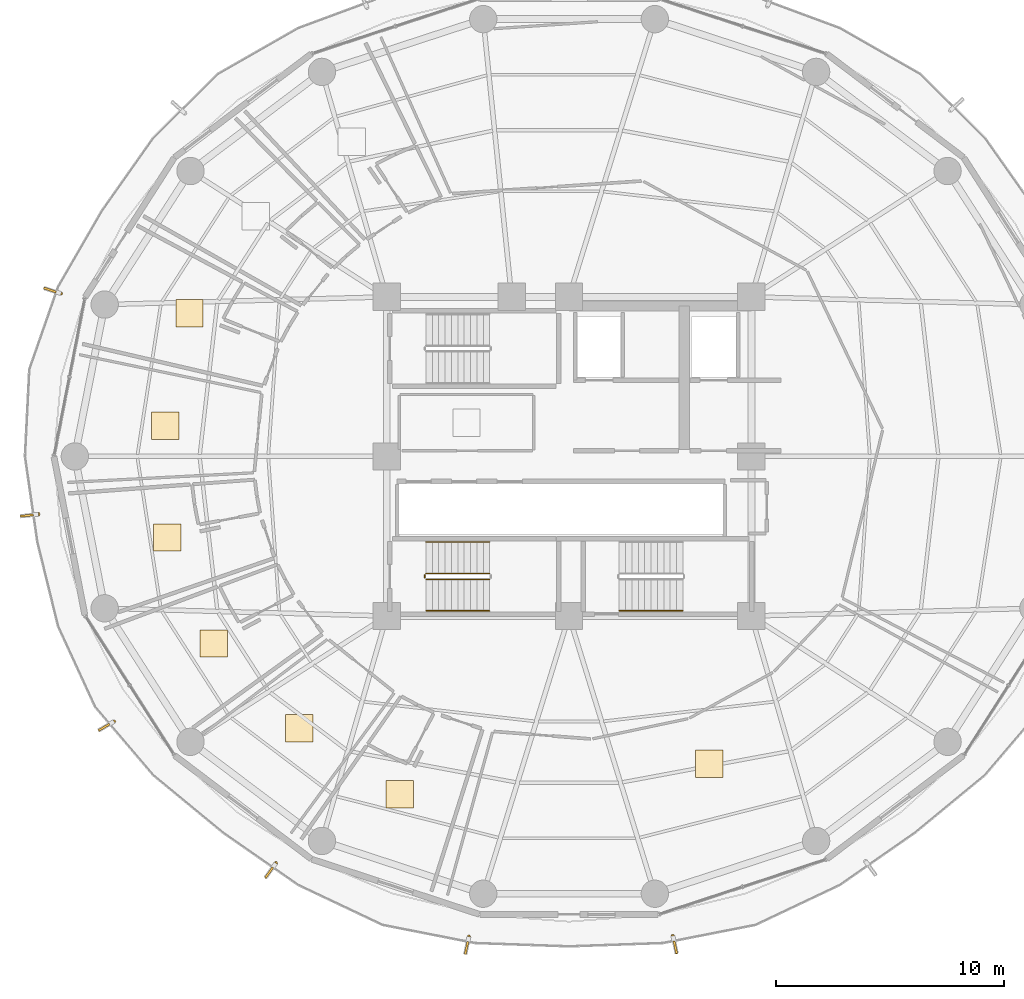
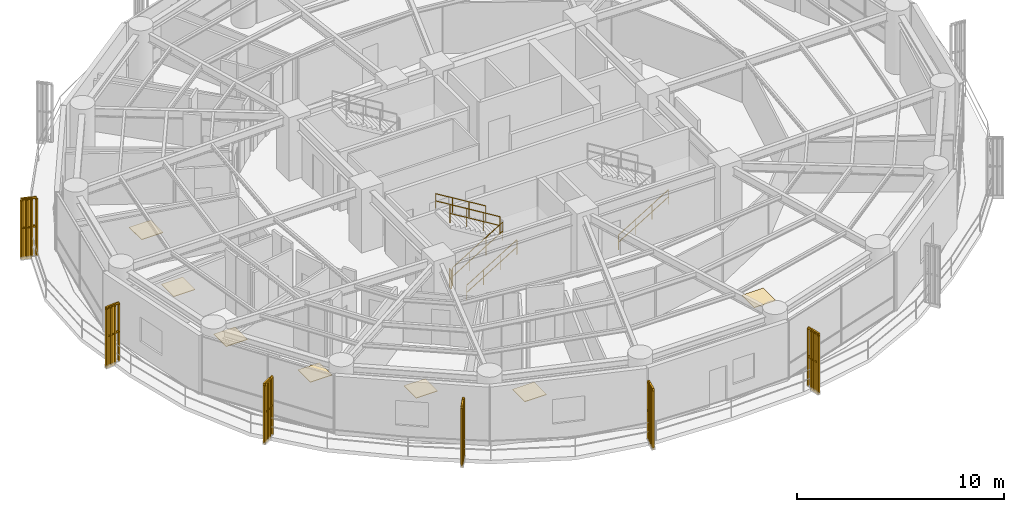
# One storey, part 25 of 28: 12 railings, 7 coverings, 6 shading devices.
"""IFC4 building model written with IfcOpenShell, lengths in metres."""

from ifc_helpers import new_model, si_unit, direction, frame, origin, origin_2d, place, context, subcontext, project, spatial, polyline, rectangle, outline, extrude, source, transform, mapped, material, layer, layer_set, type_object, element, save


model = new_model("IFC4")

# Units and contexts
model_context = context("Model", 3, precision=1e-05, world=origin(), true_north=direction((0.0, 1.0)))
body_context = subcontext(model_context, "Body", "Model", "MODEL_VIEW")
ifc_project = project(units=[si_unit("LENGTHUNIT", "METRE"), si_unit("AREAUNIT", "SQUARE_METRE"), si_unit("VOLUMEUNIT", "CUBIC_METRE"), si_unit("PLANEANGLEUNIT", "RADIAN"), si_unit("MASSUNIT", "GRAM", prefix="KILO")], contexts=[model_context])

# Site, building, storey
site_placement = place(None, origin())
site = spatial("IfcSite", under=ifc_project, at=site_placement, CompositionType="ELEMENT")
building_placement = place(site_placement, origin())
building = spatial("IfcBuilding", under=site, at=building_placement, Name="Kelanora Arch Commons", CompositionType="ELEMENT")
storey_placement = place(building_placement, frame((0.0, 0.0, 139.35009765625)))
storey = spatial("IfcBuildingStorey", under=building, at=storey_placement, Name="L35", CompositionType="ELEMENT", Elevation=139.35009765625)

# Railings
ifc_material_1 = material(Name="Anodised bronze vertical shading fin rib assembly")
railing_type_1 = type_object("IfcRailingType", Name="RAIL-FIN-BRZ", PredefinedType="BALUSTRADE", material=ifc_material_1)
railing_1_placement = place(storey_placement, frame((51.71240234375, 65.14599609375, -0.02001953125)))
element("IfcRailing", 1, at=railing_1_placement, inside=storey, type_object=railing_type_1, Name="Sweeping Bronze Vertical Fin Blade L35-06", PredefinedType="BALUSTRADE", context=body_context, shape_type="SweptSolid", body=[
    extrude(outline(polyline([(0.06982421875, 0.0), (0.034912109375, 0.060546875), (-0.034912109375, 0.060546875), (-0.06982421875, 0.0), (-0.034912109375, -0.060546875), (0.034912109375, -0.060546875), (0.06982421875, 0.0)])), frame((0.0, 0.0, 3.419921875), z_axis=(-0.952257418499, 0.305296264165, 0.0), x_axis=(-0.305296264165, -0.952257418499, 0.0)), (0.0, 0.0, 1.0), 0.731689453125),
    extrude(outline(polyline([(0.06982421875, 0.0), (0.034912109375, 0.060546875), (-0.034912109375, 0.060546875), (-0.06982421875, 0.0), (-0.034912109375, -0.060546875), (0.034912109375, -0.060546875), (0.06982421875, 0.0)])), frame((0.0, 0.0, 1.7451171875), z_axis=(-0.952257418499, 0.305296264165, 0.0), x_axis=(-0.305296264165, -0.952257418499, 0.0)), (0.0, 0.0, 1.0), 0.731689453125),
    extrude(outline(polyline([(0.080078125, 0.0), (0.0400390625, 0.0693359375), (-0.0400390625, 0.0693359375), (-0.080078125, 0.0), (-0.0400390625, -0.0693359375), (0.0400390625, -0.0693359375), (0.080078125, 0.0)])), origin(), (0.0, 0.0, 1.0), 3.35009765625),
    extrude(outline(polyline([(0.080078125, 0.0), (0.0400390625, 0.0693359375), (-0.0400390625, 0.0693359375), (-0.080078125, 0.0), (-0.0400390625, -0.0693359375), (0.0400390625, -0.0693359375), (0.080078125, 0.0)])), frame((-0.232177734375, 0.074462890625, 0.0)), (0.0, 0.0, 1.0), 3.35009765625),
    extrude(outline(polyline([(0.080078125, 0.0), (0.0400390625, 0.0693359375), (-0.0400390625, 0.0693359375), (-0.080078125, 0.0), (-0.0400390625, -0.0693359375), (0.0400390625, -0.0693359375), (0.080078125, 0.0)])), frame((-0.464599609375, 0.14892578125, 0.0)), (0.0, 0.0, 1.0), 3.35009765625),
    extrude(outline(polyline([(0.080078125, 0.0), (0.0400390625, 0.0693359375), (-0.0400390625, 0.0693359375), (-0.080078125, 0.0), (-0.0400390625, -0.0693359375), (0.0400390625, -0.0693359375), (0.080078125, 0.0)])), frame((-0.69677734375, 0.223388671875, 0.0)), (0.0, 0.0, 1.0), 3.35009765625),
])
railing_2_placement = place(storey_placement, frame((50.72119140625, 55.461669921875, -0.02001953125)))
element("IfcRailing", 2, at=railing_2_placement, inside=storey, type_object=railing_type_1, Name="Sweeping Bronze Vertical Fin Blade L35-07", PredefinedType="BALUSTRADE", context=body_context, shape_type="SweptSolid", body=[
    extrude(outline(polyline([(0.06982421875, 0.0), (0.034912109375, 0.060546875), (-0.034912109375, 0.060546875), (-0.06982421875, 0.0), (-0.034912109375, -0.060546875), (0.034912109375, -0.060546875), (0.06982421875, 0.0)])), frame((0.0, 0.0, 3.419921875), z_axis=(-0.994105445602, -0.108417540208, 0.0), x_axis=(0.108417540208, -0.994105445602, 0.0)), (0.0, 0.0, 1.0), 0.73193359375),
    extrude(outline(polyline([(0.06982421875, 0.0), (0.034912109375, 0.060546875), (-0.034912109375, 0.060546875), (-0.06982421875, 0.0), (-0.034912109375, -0.060546875), (0.034912109375, -0.060546875), (0.06982421875, 0.0)])), frame((0.0, 0.0, 1.7451171875), z_axis=(-0.994105445602, -0.108417540208, 0.0), x_axis=(0.108417540208, -0.994105445602, 0.0)), (0.0, 0.0, 1.0), 0.73193359375),
    extrude(outline(polyline([(0.080078125, 0.0), (0.0400390625, 0.0693359375), (-0.0400390625, 0.0693359375), (-0.080078125, 0.0), (-0.0400390625, -0.0693359375), (0.0400390625, -0.0693359375), (0.080078125, 0.0)])), origin(), (0.0, 0.0, 1.0), 3.35009765625),
    extrude(outline(polyline([(0.080078125, 0.0), (0.0400390625, 0.0693359375), (-0.0400390625, 0.0693359375), (-0.080078125, 0.0), (-0.0400390625, -0.0693359375), (0.0400390625, -0.0693359375), (0.080078125, 0.0)])), frame((-0.242431640625, -0.0263671875, 0.0)), (0.0, 0.0, 1.0), 3.35009765625),
    extrude(outline(polyline([(0.080078125, 0.0), (0.0400390625, 0.0693359375), (-0.0400390625, 0.0693359375), (-0.080078125, 0.0), (-0.0400390625, -0.0693359375), (0.0400390625, -0.0693359375), (0.080078125, 0.0)])), frame((-0.485107421875, -0.052978515625, 0.0)), (0.0, 0.0, 1.0), 3.35009765625),
    extrude(outline(polyline([(0.080078125, 0.0), (0.0400390625, 0.0693359375), (-0.0400390625, 0.0693359375), (-0.080078125, 0.0), (-0.0400390625, -0.0693359375), (0.0400390625, -0.0693359375), (0.080078125, 0.0)])), frame((-0.7275390625, -0.079345703125, 0.0)), (0.0, 0.0, 1.0), 3.35009765625),
])
railing_3_placement = place(storey_placement, frame((54.041015625, 46.372802734375, -0.02001953125)))
element("IfcRailing", 3, at=railing_3_placement, inside=storey, type_object=railing_type_1, Name="Sweeping Bronze Vertical Fin Blade L35-08", PredefinedType="BALUSTRADE", context=body_context, shape_type="SweptSolid", body=[
    extrude(outline(polyline([(0.06982421875, 0.0), (0.034912109375, 0.060546875), (-0.034912109375, 0.060546875), (-0.06982421875, 0.0), (-0.034912109375, -0.060546875), (0.034912109375, -0.060546875), (0.06982421875, 0.0)])), frame((0.0, 0.0, 3.419921875), z_axis=(-0.864190074354, -0.503165495029, 0.0), x_axis=(0.503165495029, -0.864190074354, 0.0)), (0.0, 0.0, 1.0), 0.731689453125),
    extrude(outline(polyline([(0.06982421875, 0.0), (0.034912109375, 0.060546875), (-0.034912109375, 0.060546875), (-0.06982421875, 0.0), (-0.034912109375, -0.060546875), (0.034912109375, -0.060546875), (0.06982421875, 0.0)])), frame((0.0, 0.0, 1.7451171875), z_axis=(-0.864190074354, -0.503165495029, 0.0), x_axis=(0.503165495029, -0.864190074354, 0.0)), (0.0, 0.0, 1.0), 0.731689453125),
    extrude(outline(polyline([(0.080078125, 0.0), (0.0400390625, 0.0693359375), (-0.0400390625, 0.0693359375), (-0.080078125, 0.0), (-0.0400390625, -0.0693359375), (0.0400390625, -0.0693359375), (0.080078125, 0.0)])), origin(), (0.0, 0.0, 1.0), 3.35009765625),
    extrude(outline(polyline([(0.080078125, 0.0), (0.0400390625, 0.0693359375), (-0.0400390625, 0.0693359375), (-0.080078125, 0.0), (-0.0400390625, -0.0693359375), (0.0400390625, -0.0693359375), (0.080078125, 0.0)])), frame((-0.210693359375, -0.122802734375, 0.0)), (0.0, 0.0, 1.0), 3.35009765625),
    extrude(outline(polyline([(0.080078125, 0.0), (0.0400390625, 0.0693359375), (-0.0400390625, 0.0693359375), (-0.080078125, 0.0), (-0.0400390625, -0.0693359375), (0.0400390625, -0.0693359375), (0.080078125, 0.0)])), frame((-0.421630859375, -0.245361328125, 0.0)), (0.0, 0.0, 1.0), 3.35009765625),
    extrude(outline(polyline([(0.080078125, 0.0), (0.0400390625, 0.0693359375), (-0.0400390625, 0.0693359375), (-0.080078125, 0.0), (-0.0400390625, -0.0693359375), (0.0400390625, -0.0693359375), (0.080078125, 0.0)])), frame((-0.63232421875, -0.3681640625, 0.0)), (0.0, 0.0, 1.0), 3.35009765625),
])
railing_4_placement = place(storey_placement, frame((61.14013671875, 40.154296875, -0.02001953125)))
element("IfcRailing", 4, at=railing_4_placement, inside=storey, type_object=railing_type_1, Name="Sweeping Bronze Vertical Fin Blade L35-09", PredefinedType="BALUSTRADE", context=body_context, shape_type="SweptSolid", body=[
    extrude(outline(polyline([(0.06982421875, 0.0), (0.034912109375, 0.060546875), (-0.034912109375, 0.060546875), (-0.06982421875, 0.0), (-0.034912109375, -0.060546875), (0.034912109375, -0.060546875), (0.06982421875, 0.0)])), frame((0.0, 0.0, 3.419921875), z_axis=(-0.584735217018, -0.811224214369, 0.0), x_axis=(0.811224214369, -0.584735217018, 0.0)), (0.0, 0.0, 1.0), 0.73193359375),
    extrude(outline(polyline([(0.06982421875, 0.0), (0.034912109375, 0.060546875), (-0.034912109375, 0.060546875), (-0.06982421875, 0.0), (-0.034912109375, -0.060546875), (0.034912109375, -0.060546875), (0.06982421875, 0.0)])), frame((0.0, 0.0, 1.7451171875), z_axis=(-0.584735217018, -0.811224214369, 0.0), x_axis=(0.811224214369, -0.584735217018, 0.0)), (0.0, 0.0, 1.0), 0.73193359375),
    extrude(outline(polyline([(0.080078125, 0.0), (0.0400390625, 0.0693359375), (-0.0400390625, 0.0693359375), (-0.080078125, 0.0), (-0.0400390625, -0.0693359375), (0.0400390625, -0.0693359375), (0.080078125, 0.0)])), origin(), (0.0, 0.0, 1.0), 3.35009765625),
    extrude(outline(polyline([(0.080078125, 0.0), (0.0400390625, 0.0693359375), (-0.0400390625, 0.0693359375), (-0.080078125, 0.0), (-0.0400390625, -0.0693359375), (0.0400390625, -0.0693359375), (0.080078125, 0.0)])), frame((-0.142578125, -0.197998046875, 0.0)), (0.0, 0.0, 1.0), 3.35009765625),
    extrude(outline(polyline([(0.080078125, 0.0), (0.0400390625, 0.0693359375), (-0.0400390625, 0.0693359375), (-0.080078125, 0.0), (-0.0400390625, -0.0693359375), (0.0400390625, -0.0693359375), (0.080078125, 0.0)])), frame((-0.285400390625, -0.395751953125, 0.0)), (0.0, 0.0, 1.0), 3.35009765625),
    extrude(outline(polyline([(0.080078125, 0.0), (0.0400390625, 0.0693359375), (-0.0400390625, 0.0693359375), (-0.080078125, 0.0), (-0.0400390625, -0.0693359375), (0.0400390625, -0.0693359375), (0.080078125, 0.0)])), frame((-0.427978515625, -0.59375, 0.0)), (0.0, 0.0, 1.0), 3.35009765625),
])
railing_5_placement = place(storey_placement, frame((69.60791015625, 36.93359375, -0.02001953125)))
element("IfcRailing", 5, at=railing_5_placement, inside=storey, type_object=railing_type_1, Name="Sweeping Bronze Vertical Fin Blade L35-10", PredefinedType="BALUSTRADE", context=body_context, shape_type="SweptSolid", body=[
    extrude(outline(polyline([(0.06982421875, 0.0), (0.034912109375, 0.060546875), (-0.034912109375, 0.060546875), (-0.06982421875, 0.0), (-0.034912109375, -0.060546875), (0.034912109375, -0.060546875), (0.06982421875, 0.0)])), frame((0.0, 0.0, 3.419921875), z_axis=(-0.204194076603, -0.978930426067, 0.0), x_axis=(0.978930426067, -0.204194076603, 0.0)), (0.0, 0.0, 1.0), 0.731689453125),
    extrude(outline(polyline([(0.06982421875, 0.0), (0.034912109375, 0.060546875), (-0.034912109375, 0.060546875), (-0.06982421875, 0.0), (-0.034912109375, -0.060546875), (0.034912109375, -0.060546875), (0.06982421875, 0.0)])), frame((0.0, 0.0, 1.7451171875), z_axis=(-0.204194076603, -0.978930426067, 0.0), x_axis=(0.978930426067, -0.204194076603, 0.0)), (0.0, 0.0, 1.0), 0.731689453125),
    extrude(outline(polyline([(0.080078125, 0.0), (0.0400390625, 0.0693359375), (-0.0400390625, 0.0693359375), (-0.080078125, 0.0), (-0.0400390625, -0.0693359375), (0.0400390625, -0.0693359375), (0.080078125, 0.0)])), origin(), (0.0, 0.0, 1.0), 3.35009765625),
    extrude(outline(polyline([(0.080078125, 0.0), (0.0400390625, 0.0693359375), (-0.0400390625, 0.0693359375), (-0.080078125, 0.0), (-0.0400390625, -0.0693359375), (0.0400390625, -0.0693359375), (0.080078125, 0.0)])), frame((-0.0498046875, -0.23876953125, 0.0)), (0.0, 0.0, 1.0), 3.35009765625),
    extrude(outline(polyline([(0.080078125, 0.0), (0.0400390625, 0.0693359375), (-0.0400390625, 0.0693359375), (-0.080078125, 0.0), (-0.0400390625, -0.0693359375), (0.0400390625, -0.0693359375), (0.080078125, 0.0)])), frame((-0.099609375, -0.4775390625, 0.0)), (0.0, 0.0, 1.0), 3.35009765625),
    extrude(outline(polyline([(0.080078125, 0.0), (0.0400390625, 0.0693359375), (-0.0400390625, 0.0693359375), (-0.080078125, 0.0), (-0.0400390625, -0.0693359375), (0.0400390625, -0.0693359375), (0.080078125, 0.0)])), frame((-0.1494140625, -0.71630859375, 0.0)), (0.0, 0.0, 1.0), 3.35009765625),
])
railing_6_placement = place(storey_placement, frame((78.556640625, 36.9658203125, -0.02001953125)))
element("IfcRailing", 6, at=railing_6_placement, inside=storey, type_object=railing_type_1, Name="Sweeping Bronze Vertical Fin Blade L35-11", PredefinedType="BALUSTRADE", context=body_context, shape_type="SweptSolid", body=[
    extrude(outline(polyline([(0.06982421875, 0.0), (0.034912109375, 0.060546875), (-0.034912109375, 0.060546875), (-0.06982421875, 0.0), (-0.034912109375, -0.060546875), (0.034912109375, -0.060546875), (0.06982421875, 0.0)])), frame((0.0, 0.0, 3.419921875), z_axis=(0.211556796565, -0.977365705265, 0.0), x_axis=(0.977365705265, 0.211556796565, 0.0)), (0.0, 0.0, 1.0), 0.731689453125),
    extrude(outline(polyline([(0.06982421875, 0.0), (0.034912109375, 0.060546875), (-0.034912109375, 0.060546875), (-0.06982421875, 0.0), (-0.034912109375, -0.060546875), (0.034912109375, -0.060546875), (0.06982421875, 0.0)])), frame((0.0, 0.0, 1.7451171875), z_axis=(0.211556796565, -0.977365705265, 0.0), x_axis=(0.977365705265, 0.211556796565, 0.0)), (0.0, 0.0, 1.0), 0.731689453125),
    extrude(outline(polyline([(0.080078125, 0.0), (0.0400390625, 0.0693359375), (-0.0400390625, 0.0693359375), (-0.080078125, 0.0), (-0.0400390625, -0.0693359375), (0.0400390625, -0.0693359375), (0.080078125, 0.0)])), origin(), (0.0, 0.0, 1.0), 3.35009765625),
    extrude(outline(polyline([(0.080078125, 0.0), (0.0400390625, 0.0693359375), (-0.0400390625, 0.0693359375), (-0.080078125, 0.0), (-0.0400390625, -0.0693359375), (0.0400390625, -0.0693359375), (0.080078125, 0.0)])), frame((0.051513671875, -0.23828125, 0.0)), (0.0, 0.0, 1.0), 3.35009765625),
    extrude(outline(polyline([(0.080078125, 0.0), (0.0400390625, 0.0693359375), (-0.0400390625, 0.0693359375), (-0.080078125, 0.0), (-0.0400390625, -0.0693359375), (0.0400390625, -0.0693359375), (0.080078125, 0.0)])), frame((0.103271484375, -0.476806640625, 0.0)), (0.0, 0.0, 1.0), 3.35009765625),
    extrude(outline(polyline([(0.080078125, 0.0), (0.0400390625, 0.0693359375), (-0.0400390625, 0.0693359375), (-0.080078125, 0.0), (-0.0400390625, -0.0693359375), (0.0400390625, -0.0693359375), (0.080078125, 0.0)])), frame((0.15478515625, -0.715087890625, 0.0)), (0.0, 0.0, 1.0), 3.35009765625),
])
ifc_material_2 = material(Name="Painted steel stair well guard", Category="steel")
railing_type_2 = type_object("IfcRailingType", Name="RAIL-STAIR-GRD", PredefinedType="GUARDRAIL", material=ifc_material_2)
railing_7_placement = place(storey_placement, frame((67.719970703125, 52.610107421875, 0.17041015625)))
element("IfcRailing", 7, at=railing_7_placement, inside=storey, type_object=railing_type_2, Name="L35 ST-T3 stair guard 1", PredefinedType="GUARDRAIL", context=body_context, shape_type="SweptSolid", body=[
    extrude(outline(polyline([(0.02392578125, 0.0), (0.011962890625, 0.020751953125), (-0.011962890625, 0.020751953125), (-0.02392578125, 0.0), (-0.011962890625, -0.020751953125), (0.011962890625, -0.020751953125), (0.02392578125, 0.0)])), frame((0.0, 0.0, 1.076171875), z_axis=(0.854169791009, 0.0, 0.51999420009), x_axis=(0.0, 1.0, 0.0)), (0.0, 0.0, 1.0), 3.278076171875),
    extrude(outline(polyline([(0.02392578125, 0.0), (0.011962890625, 0.020751953125), (-0.011962890625, 0.020751953125), (-0.02392578125, 0.0), (-0.011962890625, -0.020751953125), (0.011962890625, -0.020751953125), (0.02392578125, 0.0)])), frame((0.0, 0.0, 0.550048828125), z_axis=(0.854169791009, 0.0, 0.51999420009), x_axis=(0.0, 1.0, 0.0)), (0.0, 0.0, 1.0), 3.278076171875),
    extrude(outline(polyline([(0.02099609375, 0.0), (0.010498046875, 0.01806640625), (-0.010498046875, 0.01806640625), (-0.02099609375, 0.0), (-0.010498046875, -0.01806640625), (0.010498046875, -0.01806640625), (0.02099609375, 0.0)])), origin(), (0.0, 0.0, 1.0), 1.052001953125),
    extrude(outline(polyline([(0.02099609375, 0.0), (0.010498046875, 0.01806640625), (-0.010498046875, 0.01806640625), (-0.02099609375, 0.0), (-0.010498046875, -0.01806640625), (0.010498046875, -0.01806640625), (0.02099609375, 0.0)])), frame((0.933349609375, 0.0, 0.568115234375)), (0.0, 0.0, 1.0), 1.052001953125),
    extrude(outline(polyline([(0.02099609375, 0.0), (0.010498046875, 0.01806640625), (-0.010498046875, 0.01806640625), (-0.02099609375, 0.0), (-0.010498046875, -0.01806640625), (0.010498046875, -0.01806640625), (0.02099609375, 0.0)])), frame((1.86669921875, 0.0, 1.136474609375)), (0.0, 0.0, 1.0), 1.052001953125),
    extrude(outline(polyline([(0.02099609375, 0.0), (0.010498046875, 0.01806640625), (-0.010498046875, 0.01806640625), (-0.02099609375, 0.0), (-0.010498046875, -0.01806640625), (0.010498046875, -0.01806640625), (0.02099609375, 0.0)])), frame((2.800048828125, 0.0, 1.70458984375)), (0.0, 0.0, 1.0), 1.052001953125),
])
railing_8_placement = place(storey_placement, frame((70.52001953125, 52.860107421875, 2.04541015625)))
element("IfcRailing", 8, at=railing_8_placement, inside=storey, type_object=railing_type_2, Name="L35 ST-T3 stair guard 3", PredefinedType="GUARDRAIL", context=body_context, shape_type="SweptSolid", body=[
    extrude(outline(polyline([(0.02392578125, 0.0), (0.011962890625, 0.020751953125), (-0.011962890625, 0.020751953125), (-0.02392578125, 0.0), (-0.011962890625, -0.020751953125), (0.011962890625, -0.020751953125), (0.02392578125, 0.0)])), frame((0.0, 0.0, 1.076171875), z_axis=(-0.854169791009, 0.0, 0.51999420009), x_axis=(0.0, -1.0, 0.0)), (0.0, 0.0, 1.0), 3.278076171875),
    extrude(outline(polyline([(0.02392578125, 0.0), (0.011962890625, 0.020751953125), (-0.011962890625, 0.020751953125), (-0.02392578125, 0.0), (-0.011962890625, -0.020751953125), (0.011962890625, -0.020751953125), (0.02392578125, 0.0)])), frame((0.0, 0.0, 0.550048828125), z_axis=(-0.854169791009, 0.0, 0.51999420009), x_axis=(0.0, -1.0, 0.0)), (0.0, 0.0, 1.0), 3.278076171875),
    extrude(outline(polyline([(0.02099609375, 0.0), (0.010498046875, 0.01806640625), (-0.010498046875, 0.01806640625), (-0.02099609375, 0.0), (-0.010498046875, -0.01806640625), (0.010498046875, -0.01806640625), (0.02099609375, 0.0)])), origin(), (0.0, 0.0, 1.0), 1.052001953125),
    extrude(outline(polyline([(0.02099609375, 0.0), (0.010498046875, 0.01806640625), (-0.010498046875, 0.01806640625), (-0.02099609375, 0.0), (-0.010498046875, -0.01806640625), (0.010498046875, -0.01806640625), (0.02099609375, 0.0)])), frame((-0.933349609375, 0.0, 0.568115234375)), (0.0, 0.0, 1.0), 1.052001953125),
    extrude(outline(polyline([(0.02099609375, 0.0), (0.010498046875, 0.01806640625), (-0.010498046875, 0.01806640625), (-0.02099609375, 0.0), (-0.010498046875, -0.01806640625), (0.010498046875, -0.01806640625), (0.02099609375, 0.0)])), frame((-1.86669921875, 0.0, 1.136474609375)), (0.0, 0.0, 1.0), 1.052001953125),
    extrude(outline(polyline([(0.02099609375, 0.0), (0.010498046875, 0.01806640625), (-0.010498046875, 0.01806640625), (-0.02099609375, 0.0), (-0.010498046875, -0.01806640625), (0.010498046875, -0.01806640625), (0.02099609375, 0.0)])), frame((-2.800048828125, 0.0, 1.70458984375)), (0.0, 0.0, 1.0), 1.052001953125),
])
railing_9_placement = place(storey_placement, frame((67.669921875, 52.659912109375, 0.0)))
element("IfcRailing", 9, at=railing_9_placement, inside=storey, type_object=railing_type_2, Name="L35 ST-T3 stair guard 4", PredefinedType="GUARDRAIL", context=body_context, shape_type="SweptSolid", body=[
    extrude(outline(polyline([(0.02392578125, 0.0), (0.011962890625, 0.020751953125), (-0.011962890625, 0.020751953125), (-0.02392578125, 0.0), (-0.011962890625, -0.020751953125), (0.011962890625, -0.020751953125), (0.02392578125, 0.0)])), frame((0.0, 0.0, 1.076171875), z_axis=(0.0, 1.0, 0.0), x_axis=(-1.0, 0.0, 0.0)), (0.0, 0.0, 1.0), 0.150146484375),
    extrude(outline(polyline([(0.02392578125, 0.0), (0.011962890625, 0.020751953125), (-0.011962890625, 0.020751953125), (-0.02392578125, 0.0), (-0.011962890625, -0.020751953125), (0.011962890625, -0.020751953125), (0.02392578125, 0.0)])), frame((0.0, 0.0, 0.550048828125), z_axis=(0.0, 1.0, 0.0), x_axis=(-1.0, 0.0, 0.0)), (0.0, 0.0, 1.0), 0.150146484375),
    extrude(outline(polyline([(0.02099609375, 0.0), (0.010498046875, 0.01806640625), (-0.010498046875, 0.01806640625), (-0.02099609375, 0.0), (-0.010498046875, -0.01806640625), (0.010498046875, -0.01806640625), (0.02099609375, 0.0)])), origin(), (0.0, 0.0, 1.0), 1.052001953125),
    extrude(outline(polyline([(0.02099609375, 0.0), (0.010498046875, 0.01806640625), (-0.010498046875, 0.01806640625), (-0.02099609375, 0.0), (-0.010498046875, -0.01806640625), (0.010498046875, -0.01806640625), (0.02099609375, 0.0)])), frame((0.0, 0.150146484375, 0.0)), (0.0, 0.0, 1.0), 1.052001953125),
])
ifc_material_3 = material(Name="Brushed stainless steel stair handrail", Category="steel")
railing_type_3 = type_object("IfcRailingType", Name="RAIL-STAIR-HND", PredefinedType="HANDRAIL", material=ifc_material_3)
railing_10_placement = place(storey_placement, frame((76.199951171875, 51.22998046875, 0.17041015625)))
element("IfcRailing", 10, at=railing_10_placement, inside=storey, type_object=railing_type_3, Name="L35 ST-T2 stair handrail 1", PredefinedType="HANDRAIL", context=body_context, shape_type="SweptSolid", body=[
    extrude(outline(polyline([(0.02392578125, 0.0), (0.011962890625, 0.020751953125), (-0.011962890625, 0.020751953125), (-0.02392578125, 0.0), (-0.011962890625, -0.020751953125), (0.011962890625, -0.020751953125), (0.02392578125, 0.0)])), frame((0.0, 0.0, 0.8759765625), z_axis=(0.854169791009, 0.0, 0.51999420009), x_axis=(0.0, 1.0, 0.0)), (0.0, 0.0, 1.0), 3.278076171875),
    extrude(outline(polyline([(0.02392578125, 0.0), (0.011962890625, 0.020751953125), (-0.011962890625, 0.020751953125), (-0.02392578125, 0.0), (-0.011962890625, -0.020751953125), (0.011962890625, -0.020751953125), (0.02392578125, 0.0)])), frame((0.0, 0.0, 0.449951171875), z_axis=(0.854169791009, 0.0, 0.51999420009), x_axis=(0.0, 1.0, 0.0)), (0.0, 0.0, 1.0), 3.278076171875),
    extrude(outline(polyline([(0.02099609375, 0.0), (0.010498046875, 0.01806640625), (-0.010498046875, 0.01806640625), (-0.02099609375, 0.0), (-0.010498046875, -0.01806640625), (0.010498046875, -0.01806640625), (0.02099609375, 0.0)])), origin(), (0.0, 0.0, 1.0), 0.851806640625),
    extrude(outline(polyline([(0.02099609375, 0.0), (0.010498046875, 0.01806640625), (-0.010498046875, 0.01806640625), (-0.02099609375, 0.0), (-0.010498046875, -0.01806640625), (0.010498046875, -0.01806640625), (0.02099609375, 0.0)])), frame((0.933349609375, 0.0, 0.568115234375)), (0.0, 0.0, 1.0), 0.851806640625),
    extrude(outline(polyline([(0.02099609375, 0.0), (0.010498046875, 0.01806640625), (-0.010498046875, 0.01806640625), (-0.02099609375, 0.0), (-0.010498046875, -0.01806640625), (0.010498046875, -0.01806640625), (0.02099609375, 0.0)])), frame((1.86669921875, 0.0, 1.136474609375)), (0.0, 0.0, 1.0), 0.851806640625),
    extrude(outline(polyline([(0.02099609375, 0.0), (0.010498046875, 0.01806640625), (-0.010498046875, 0.01806640625), (-0.02099609375, 0.0), (-0.010498046875, -0.01806640625), (0.010498046875, -0.01806640625), (0.02099609375, 0.0)])), frame((2.800048828125, 0.0, 1.70458984375)), (0.0, 0.0, 1.0), 0.851806640625),
])
railing_11_placement = place(storey_placement, frame((67.719970703125, 51.22998046875, 0.17041015625)))
element("IfcRailing", 11, at=railing_11_placement, inside=storey, type_object=railing_type_3, Name="L35 ST-T3 stair handrail 1", PredefinedType="HANDRAIL", context=body_context, shape_type="SweptSolid", body=[
    extrude(outline(polyline([(0.02392578125, 0.0), (0.011962890625, 0.020751953125), (-0.011962890625, 0.020751953125), (-0.02392578125, 0.0), (-0.011962890625, -0.020751953125), (0.011962890625, -0.020751953125), (0.02392578125, 0.0)])), frame((0.0, 0.0, 0.8759765625), z_axis=(0.854169791009, 0.0, 0.51999420009), x_axis=(0.0, 1.0, 0.0)), (0.0, 0.0, 1.0), 3.278076171875),
    extrude(outline(polyline([(0.02392578125, 0.0), (0.011962890625, 0.020751953125), (-0.011962890625, 0.020751953125), (-0.02392578125, 0.0), (-0.011962890625, -0.020751953125), (0.011962890625, -0.020751953125), (0.02392578125, 0.0)])), frame((0.0, 0.0, 0.449951171875), z_axis=(0.854169791009, 0.0, 0.51999420009), x_axis=(0.0, 1.0, 0.0)), (0.0, 0.0, 1.0), 3.278076171875),
    extrude(outline(polyline([(0.02099609375, 0.0), (0.010498046875, 0.01806640625), (-0.010498046875, 0.01806640625), (-0.02099609375, 0.0), (-0.010498046875, -0.01806640625), (0.010498046875, -0.01806640625), (0.02099609375, 0.0)])), origin(), (0.0, 0.0, 1.0), 0.851806640625),
    extrude(outline(polyline([(0.02099609375, 0.0), (0.010498046875, 0.01806640625), (-0.010498046875, 0.01806640625), (-0.02099609375, 0.0), (-0.010498046875, -0.01806640625), (0.010498046875, -0.01806640625), (0.02099609375, 0.0)])), frame((0.933349609375, 0.0, 0.568115234375)), (0.0, 0.0, 1.0), 0.851806640625),
    extrude(outline(polyline([(0.02099609375, 0.0), (0.010498046875, 0.01806640625), (-0.010498046875, 0.01806640625), (-0.02099609375, 0.0), (-0.010498046875, -0.01806640625), (0.010498046875, -0.01806640625), (0.02099609375, 0.0)])), frame((1.86669921875, 0.0, 1.136474609375)), (0.0, 0.0, 1.0), 0.851806640625),
    extrude(outline(polyline([(0.02099609375, 0.0), (0.010498046875, 0.01806640625), (-0.010498046875, 0.01806640625), (-0.02099609375, 0.0), (-0.010498046875, -0.01806640625), (0.010498046875, -0.01806640625), (0.02099609375, 0.0)])), frame((2.800048828125, 0.0, 1.70458984375)), (0.0, 0.0, 1.0), 0.851806640625),
])
railing_12_placement = place(storey_placement, frame((70.52001953125, 54.239990234375, 2.04541015625)))
element("IfcRailing", 12, at=railing_12_placement, inside=storey, type_object=railing_type_3, Name="L35 ST-T3 stair handrail 2", PredefinedType="HANDRAIL", context=body_context, shape_type="SweptSolid", body=[
    extrude(outline(polyline([(0.02392578125, 0.0), (0.011962890625, 0.020751953125), (-0.011962890625, 0.020751953125), (-0.02392578125, 0.0), (-0.011962890625, -0.020751953125), (0.011962890625, -0.020751953125), (0.02392578125, 0.0)])), frame((0.0, 0.0, 0.8759765625), z_axis=(-0.854169791009, 0.0, 0.51999420009), x_axis=(0.0, -1.0, 0.0)), (0.0, 0.0, 1.0), 3.278076171875),
    extrude(outline(polyline([(0.02392578125, 0.0), (0.011962890625, 0.020751953125), (-0.011962890625, 0.020751953125), (-0.02392578125, 0.0), (-0.011962890625, -0.020751953125), (0.011962890625, -0.020751953125), (0.02392578125, 0.0)])), frame((0.0, 0.0, 0.449951171875), z_axis=(-0.854169791009, 0.0, 0.51999420009), x_axis=(0.0, -1.0, 0.0)), (0.0, 0.0, 1.0), 3.278076171875),
    extrude(outline(polyline([(0.02099609375, 0.0), (0.010498046875, 0.01806640625), (-0.010498046875, 0.01806640625), (-0.02099609375, 0.0), (-0.010498046875, -0.01806640625), (0.010498046875, -0.01806640625), (0.02099609375, 0.0)])), origin(), (0.0, 0.0, 1.0), 0.851806640625),
    extrude(outline(polyline([(0.02099609375, 0.0), (0.010498046875, 0.01806640625), (-0.010498046875, 0.01806640625), (-0.02099609375, 0.0), (-0.010498046875, -0.01806640625), (0.010498046875, -0.01806640625), (0.02099609375, 0.0)])), frame((-0.933349609375, 0.0, 0.568115234375)), (0.0, 0.0, 1.0), 0.851806640625),
    extrude(outline(polyline([(0.02099609375, 0.0), (0.010498046875, 0.01806640625), (-0.010498046875, 0.01806640625), (-0.02099609375, 0.0), (-0.010498046875, -0.01806640625), (0.010498046875, -0.01806640625), (0.02099609375, 0.0)])), frame((-1.86669921875, 0.0, 1.136474609375)), (0.0, 0.0, 1.0), 0.851806640625),
    extrude(outline(polyline([(0.02099609375, 0.0), (0.010498046875, 0.01806640625), (-0.010498046875, 0.01806640625), (-0.02099609375, 0.0), (-0.010498046875, -0.01806640625), (0.010498046875, -0.01806640625), (0.02099609375, 0.0)])), frame((-2.800048828125, 0.0, 1.70458984375)), (0.0, 0.0, 1.0), 0.851806640625),
])

# Shading devices
ifc_material_4 = material(Name="Terracotta ceramic-clad extruded aluminium fin", Category="masonry")
shading_device_type = type_object("IfcShadingDeviceType", Name="SHD-FIN-WAIST", PredefinedType="USERDEFINED", material=ifc_material_4)
shared_shape_1 = source(origin(), body_context, "Body", "SweptSolid", [
    extrude(rectangle(XDim=0.56005859375, YDim=0.090087890625, at=origin_2d()), origin(), (0.0, 0.0, 1.0), 3.610107421875),
])
for number, where, z_axis, x_axis, name in (
    (13, (51.230712890625, 65.30029296875, -0.14013671875), (0.0, 0.0, 1.0), (-0.952236042525, 0.30536293049, 0.0), "Sweeping Terracotta Fin L35-06"),
    (14, (50.21826171875, 55.40673828125, -0.14013671875), (0.0, 0.0, 1.0), (-0.994113204519, -0.108346373271, 0.0), "Sweeping Terracotta Fin L35-07"),
    (15, (53.60400390625, 46.118408203125, -0.14013671875), (0.0, 0.0, 1.0), (-0.864099162217, -0.503321604797, 0.0), "Sweeping Terracotta Fin L35-08"),
    (16, (60.84423828125, 39.74365234375, -0.14013671875), (0.0, 0.0, 1.0), (-0.584674524674, -0.811267958321, 0.0), "Sweeping Terracotta Fin L35-09"),
    (17, (69.504638671875, 36.4384765625, -0.14013671875), (0.0, 0.0, 1.0), (-0.204154350213, -0.978938711712, 0.0), "Sweeping Terracotta Fin L35-10"),
    (18, (78.663818359375, 36.471435546875, -0.14013671875), (0.0, 0.0, 1.0), (0.211665966084, -0.97734206847, 0.0), "Sweeping Terracotta Fin L35-11"),
):
    element("IfcShadingDevice", number, at=place(storey_placement, frame(where, z_axis=z_axis, x_axis=x_axis)), inside=storey, type_object=shading_device_type, Name=name, ObjectType="FIN", PredefinedType="USERDEFINED", context=body_context, shape_type="MappedRepresentation", body=[
        mapped(shared_shape_1, transform((0.0, 0.0, 0.0), scale=1.0)),
    ])

# Coverings
ifc_material_5 = material(Name="Polished local granite terrazzo flooring", Category="masonry")
ifc_layer = layer(ifc_material_5, 0.030029296875)
ifc_layer_set = layer_set([ifc_layer], Name="Polished local granite terrazzo flooring")
covering_type = type_object("IfcCoveringType", Name="COV-FLR-TER", PredefinedType="FLOORING", material=ifc_layer_set)
shared_shape_2 = source(origin(), body_context, "Body", "SweptSolid", [
    extrude(rectangle(XDim=1.199951171875, YDim=1.199951171875, at=origin_2d()), origin(), (0.0, 0.0, 1.0), 0.030029296875),
])
for number, where, z_axis, x_axis, name in (
    (19, (80.148681640625, 44.510986328125, 0.0), (0.0, 0.0, 1.0), (1.0, 0.0, 0.0), "South-East Social Sky Lounge L35 Terrazzo Finish"),
    (20, (57.3466796875, 64.287109375, 0.0), (0.0, 0.0, 1.0), (1.0, 0.0, 0.0), "Cluster Bedroom L35-03 Terrazzo Finish"),
    (21, (56.2900390625, 59.35205078125, 0.0), (0.0, 0.0, 1.0), (1.0, 0.0, 0.0), "Shared Cluster Kitchen L35-04 Terrazzo Finish"),
    (22, (56.378173828125, 54.444580078125, 0.0), (0.0, 0.0, 1.0), (1.0, 0.0, 0.0), "Cluster Bedroom L35-05 Terrazzo Finish"),
    (23, (58.41357421875, 49.7919921875, 0.0), (0.0, 0.0, 1.0), (1.0, 0.0, 0.0), "Cluster Bedroom L35-06 Terrazzo Finish"),
    (24, (62.1650390625, 46.069580078125, 0.0), (0.0, 0.0, 1.0), (1.0, 0.0, 0.0), "Social Sky Lounge L35-07 Terrazzo Finish"),
    (25, (66.57958984375, 43.185546875, 0.0), (0.0, 0.0, 1.0), (1.0, 0.0, 0.0), "Cluster Bedroom L35-08 Terrazzo Finish"),
):
    element("IfcCovering", number, at=place(storey_placement, frame(where, z_axis=z_axis, x_axis=x_axis)), inside=storey, type_object=covering_type, Name=name, PredefinedType="FLOORING", context=body_context, shape_type="MappedRepresentation", body=[
        mapped(shared_shape_2, transform((0.0, 0.0, 0.0), scale=1.0)),
    ])

save(model, "model.ifc")
